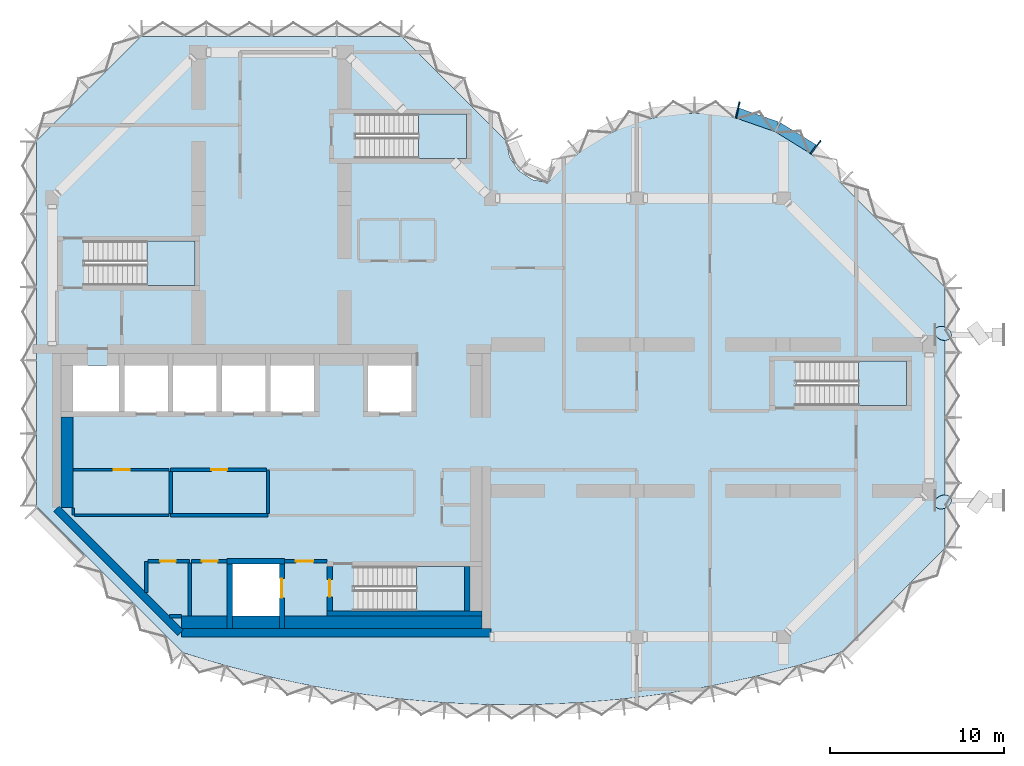
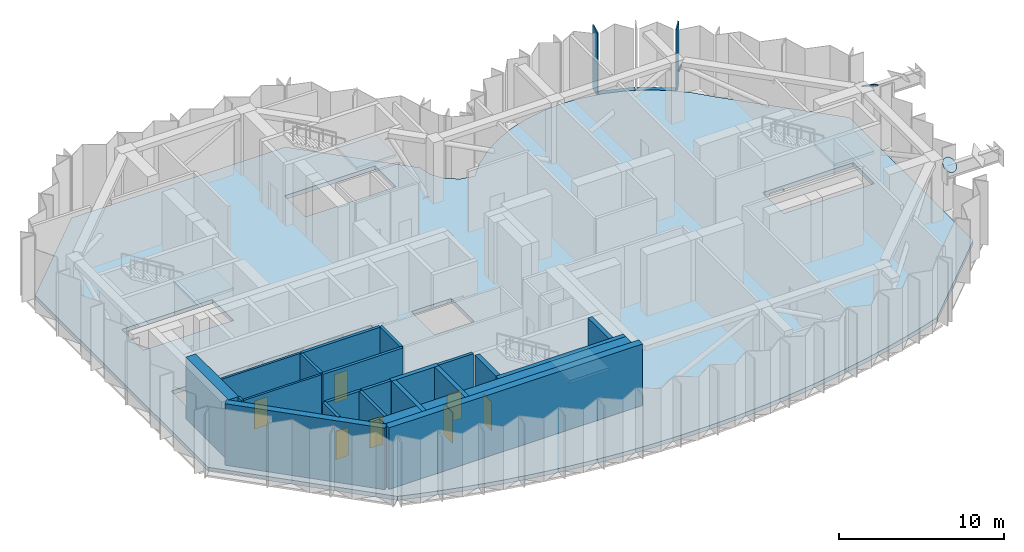
# One storey, part 3 of 13: 25 walls, 7 doors, 5 slabs, 4 members, 2 plates, 7 openings, 5 elements without a shape of their own.
"""IFC4 building model written with IfcOpenShell, lengths in metres."""

from ifc_helpers import new_model, si_unit, direction, frame, frame_2d, origin, origin_2d, place, context, subcontext, project, spatial, polyline, rectangle, circle, outline, extrude, material, layer, layer_set, material_profile, profile_set, type_object, element, fill, aggregate, save


model = new_model("IFC4")

# Units and contexts
model_context = context("Model", 3, precision=1e-05, world=origin(), true_north=direction((0.0, 1.0)))
body_context = subcontext(model_context, "Body", "Model", "MODEL_VIEW")
ifc_project = project(units=[si_unit("LENGTHUNIT", "METRE"), si_unit("AREAUNIT", "SQUARE_METRE"), si_unit("VOLUMEUNIT", "CUBIC_METRE"), si_unit("PLANEANGLEUNIT", "RADIAN"), si_unit("MASSUNIT", "GRAM", prefix="KILO")], contexts=[model_context])

# Site, building, storey
site_placement = place(None, origin())
site = spatial("IfcSite", under=ifc_project, at=site_placement, CompositionType="ELEMENT")
building_placement = place(site_placement, origin())
building = spatial("IfcBuilding", under=site, at=building_placement, Name="Brevane Broadcast Tower", CompositionType="ELEMENT")
storey_placement = place(building_placement, frame((0.0, 0.0, 210.89990234375)))
storey = spatial("IfcBuildingStorey", under=building, at=storey_placement, Name="L53", CompositionType="ELEMENT", Elevation=210.89990234375)

# Curtain wall, members
ifc_material_1 = material(Name="Aluminium 6063-T6 bronze anodised", Category="aluminium")
curtain_wall_type = type_object("IfcCurtainWallType", Name="CW-3 curtain wall", PredefinedType="NOTDEFINED", material=ifc_material_1)
curtain_wall_placement = place(storey_placement, origin())
curtain_wall = element("IfcCurtainWall", 1, at=curtain_wall_placement, inside=storey, type_object=curtain_wall_type, Name="CW-3 refuge louvre unit L53 east bow", PredefinedType="NOTDEFINED")
ifc_material_profile_1 = material_profile(ifc_material_1, rectangle(XDim=0.949951171875, YDim=0.080078125, at=origin_2d()), Name="RECT 80x950")
ifc_profile_set_1 = profile_set([ifc_material_profile_1], Name="Aluminium 6063-T6 bronze anodised")
member_type_1 = type_object("IfcMemberType", Name="CW-3 mullion 80x950", PredefinedType="MULLION", material=ifc_profile_set_1)
member_1_placement = place(storey_placement, frame((43.8720703125, 28.1455078125, -0.159912109375), z_axis=(0.0, 0.0, 1.0), x_axis=(-0.614769698862, -0.788706673841, 0.0)))
member_1 = element("IfcMember", 2, at=member_1_placement, type_object=member_type_1, Name="CW-3 mullion", PredefinedType="MULLION", context=body_context, shape_type="SweptSolid", body=[
    extrude(rectangle(XDim=0.949951171875, YDim=0.080078125, at=origin_2d()), origin(), (0.0, 0.0, 1.0), 4.7099609375),
])
member_2_placement = place(storey_placement, frame((39.38818359375, 30.28076171875, -0.159912109375), z_axis=(0.0, 0.0, 1.0), x_axis=(-0.224806535479, -0.974403418306, 0.0)))
member_2 = element("IfcMember", 3, at=member_2_placement, type_object=member_type_1, Name="CW-3 mullion", PredefinedType="MULLION", context=body_context, shape_type="SweptSolid", body=[
    extrude(rectangle(XDim=0.949951171875, YDim=0.080078125, at=origin_2d()), origin(), (0.0, 0.0, 1.0), 4.7099609375),
])
ifc_material_profile_2 = material_profile(ifc_material_1, rectangle(XDim=0.60009765625, YDim=0.139892578125, at=origin_2d()), Name="RECT 140x600")
ifc_profile_set_2 = profile_set([ifc_material_profile_2], Name="Aluminium 6063-T6 bronze anodised")
member_type_2 = type_object("IfcMemberType", Name="CW-3 transom 140x600", PredefinedType="USERDEFINED", material=ifc_profile_set_2)
member_3_placement = place(storey_placement, frame((43.7421875, 28.023193359375, -0.22998046875), z_axis=(-0.850810063131, 0.525473345162, 0.0), x_axis=(-0.525473345162, -0.850810063131, 0.0)))
member_3 = element("IfcMember", 4, at=member_3_placement, type_object=member_type_2, Name="CW-3 transom", ObjectType="TRANSOM", PredefinedType="USERDEFINED", context=body_context, shape_type="SweptSolid", body=[
    extrude(rectangle(XDim=0.60009765625, YDim=0.139892578125, at=origin_2d()), origin(), (0.0, 0.0, 1.0), 2.39453125),
])
member_4_placement = place(storey_placement, frame((41.63623046875, 29.314208984375, -0.22998046875), z_axis=(-0.944197969542, 0.329378497041, 0.0), x_axis=(-0.329378497041, -0.944197969542, 0.0)))
member_4 = element("IfcMember", 5, at=member_4_placement, type_object=member_type_2, Name="CW-3 transom", ObjectType="TRANSOM", PredefinedType="USERDEFINED", context=body_context, shape_type="SweptSolid", body=[
    extrude(rectangle(XDim=0.60009765625, YDim=0.139892578125, at=origin_2d()), origin(), (0.0, 0.0, 1.0), 2.394775390625),
])
aggregate(curtain_wall, [member_1, member_2, member_3, member_4])

# Stair, slab
ifc_material_2 = material(Name="Concrete C50/60", Category="concrete")
stair_type = type_object("IfcStairType", Name="Exit stair 28 risers", PredefinedType="HALF_TURN_STAIR", material=ifc_material_2)
stair_1_placement = place(storey_placement, origin())
stair_1 = element("IfcStair", 6, at=stair_1_placement, inside=storey, type_object=stair_type, Name="L53 Exit stair ST-1", PredefinedType="HALF_TURN_STAIR")
ifc_layer_1 = layer(ifc_material_2, 0.199951171875)
ifc_layer_set_1 = layer_set([ifc_layer_1], Name="Exit stair landing")
slab_type_1 = type_object("IfcSlabType", Name="Exit stair landing", PredefinedType="LANDING", material=ifc_layer_set_1)
slab_1_placement = place(storey_placement, frame((0.0, 0.0, 2.2001953125)))
slab_1 = element("IfcSlab", 7, at=slab_1_placement, type_object=slab_type_1, Name="ST-1 landing 1", PredefinedType="LANDING", context=body_context, shape_type="SweptSolid", body=[
    extrude(outline(polyline([(5.43994140625, 20.199951171875), (8.199951171875, 20.199951171875), (8.199951171875, 22.75), (5.43994140625, 22.75), (5.43994140625, 20.199951171875)])), origin(), (0.0, 0.0, 1.0), 0.199951171875),
])
aggregate(stair_1, [slab_1])

stair_2_placement = place(storey_placement, origin())
stair_2 = element("IfcStair", 8, at=stair_2_placement, inside=storey, type_object=stair_type, Name="L53 Exit stair ST-2", PredefinedType="HALF_TURN_STAIR")
slab_2_placement = place(storey_placement, frame((0.0, 0.0, 2.2001953125)))
slab_2 = element("IfcSlab", 9, at=slab_2_placement, type_object=slab_type_1, Name="ST-2 landing 1", PredefinedType="LANDING", context=body_context, shape_type="SweptSolid", body=[
    extrude(outline(polyline([(20.93994140625, 1.5), (23.699951171875, 1.5), (23.699951171875, 4.050048828125), (20.93994140625, 4.050048828125), (20.93994140625, 1.5)])), origin(), (0.0, 0.0, 1.0), 0.199951171875),
])
aggregate(stair_2, [slab_2])

stair_3_placement = place(storey_placement, origin())
stair_3 = element("IfcStair", 10, at=stair_3_placement, inside=storey, type_object=stair_type, Name="L53 Exit stair ST-3", PredefinedType="HALF_TURN_STAIR")
slab_3_placement = place(storey_placement, frame((0.0, 0.0, 2.2001953125)))
slab_3 = element("IfcSlab", 11, at=slab_3_placement, type_object=slab_type_1, Name="ST-3 landing 1", PredefinedType="LANDING", context=body_context, shape_type="SweptSolid", body=[
    extrude(outline(polyline([(21.0400390625, 27.5), (23.800048828125, 27.5), (23.800048828125, 30.050048828125), (21.0400390625, 30.050048828125), (21.0400390625, 27.5)])), origin(), (0.0, 0.0, 1.0), 0.199951171875),
])
aggregate(stair_3, [slab_3])

stair_4_placement = place(storey_placement, origin())
stair_4 = element("IfcStair", 12, at=stair_4_placement, inside=storey, type_object=stair_type, Name="L53 Exit stair ST-4", PredefinedType="HALF_TURN_STAIR")
slab_4_placement = place(storey_placement, frame((0.0, 0.0, 2.2001953125)))
slab_4 = element("IfcSlab", 13, at=slab_4_placement, type_object=slab_type_1, Name="ST-4 landing 1", PredefinedType="LANDING", context=body_context, shape_type="SweptSolid", body=[
    extrude(outline(polyline([(46.340087890625, 13.300048828125), (49.10009765625, 13.300048828125), (49.10009765625, 15.85009765625), (46.340087890625, 15.85009765625), (46.340087890625, 13.300048828125)])), origin(), (0.0, 0.0, 1.0), 0.199951171875),
])
aggregate(stair_4, [slab_4])

# Slab
ifc_material_3 = material(Name="Concrete C40/50", Category="concrete")
ifc_layer_2 = layer(ifc_material_3, 0.300048828125)
ifc_layer_set_2 = layer_set([ifc_layer_2], Name="RC FLOOR SLAB 300 C40/50")
slab_type_2 = type_object("IfcSlabType", Name="RC FLOOR SLAB 300 C40/50", PredefinedType="FLOOR", material=ifc_layer_set_2)
slab_5_placement = place(storey_placement, frame((0.0, 0.0, -0.2998046875)))
element("IfcSlab", 14, at=slab_5_placement, inside=storey, type_object=slab_type_2, Name="SL300 L53", PredefinedType="FLOOR", context=body_context, shape_type="SweptSolid", body=[
    extrude(outline(polyline([(-0.89990234375, 7.5), (-0.89990234375, 28.5), (5.10009765625, 34.5), (20.10009765625, 34.5), (26.10009765625, 28.5), (26.28271484375, 27.58154296875), (26.802978515625, 26.802978515625), (27.58154296875, 26.28271484375), (28.5, 26.10009765625), (29.431396484375, 27.10888671875), (30.48291015625, 27.99169921875), (31.6376953125, 28.734130859375), (32.877197265625, 29.324462890625), (34.181640625, 29.7529296875), (35.52978515625, 30.012939453125), (36.89990234375, 30.10009765625), (38.270263671875, 30.012939453125), (39.618408203125, 29.7529296875), (40.922607421875, 29.324462890625), (42.162353515625, 28.734130859375), (43.317138671875, 27.99169921875), (44.36865234375, 27.10888671875), (45.300048828125, 26.10009765625), (51.300048828125, 20.10009765625), (51.300048828125, 5.10009765625), (45.300048828125, -0.89990234375), (43.990234375, -1.310302734375), (42.671630859375, -1.691162109375), (41.3447265625, -2.0419921875), (40.01025390625, -2.36328125), (38.6689453125, -2.654052734375), (37.3212890625, -2.9150390625), (35.96826171875, -3.145263671875), (34.6103515625, -3.34521484375), (33.248291015625, -3.5146484375), (31.8828125, -3.6533203125), (30.5146484375, -3.76123046875), (29.144287109375, -3.83837890625), (27.7724609375, -3.884521484375), (26.39990234375, -3.89990234375), (25.027587890625, -3.884521484375), (23.65576171875, -3.83837890625), (22.285400390625, -3.76123046875), (20.917236328125, -3.6533203125), (19.5517578125, -3.5146484375), (18.189697265625, -3.34521484375), (16.831787109375, -3.145263671875), (15.478759765625, -2.9150390625), (14.131103515625, -2.654052734375), (12.789794921875, -2.36328125), (11.455322265625, -2.0419921875), (10.12841796875, -1.691162109375), (8.809814453125, -1.310302734375), (7.5, -0.89990234375), (-0.89990234375, 7.5)]), holes=[polyline([(13.199951171875, 4.39990234375), (10.199951171875, 4.39990234375), (10.199951171875, 1.199951171875), (13.199951171875, 1.199951171875), (13.199951171875, 4.39990234375)]), polyline([(4.0, 15.60009765625), (1.199951171875, 15.60009765625), (1.199951171875, 12.800048828125), (4.0, 12.800048828125), (6.800048828125, 12.800048828125), (9.60009765625, 12.800048828125), (12.39990234375, 12.800048828125), (15.199951171875, 12.800048828125), (15.199951171875, 15.60009765625), (12.39990234375, 15.60009765625), (9.60009765625, 15.60009765625), (6.800048828125, 15.60009765625), (4.0, 15.60009765625)]), polyline([(1.860107421875, 22.75), (1.860107421875, 20.199951171875), (8.199951171875, 20.199951171875), (8.199951171875, 22.75), (1.860107421875, 22.75)]), polyline([(23.699951171875, 4.050048828125), (17.360107421875, 4.050048828125), (17.360107421875, 1.5), (23.699951171875, 1.5), (23.699951171875, 4.050048828125)]), polyline([(20.800048828125, 15.60009765625), (18.0, 15.60009765625), (18.0, 12.800048828125), (20.800048828125, 12.800048828125), (20.800048828125, 15.60009765625)]), polyline([(49.10009765625, 15.85009765625), (42.760009765625, 15.85009765625), (42.760009765625, 13.300048828125), (49.10009765625, 13.300048828125), (49.10009765625, 15.85009765625)]), polyline([(23.800048828125, 30.050048828125), (17.4599609375, 30.050048828125), (17.4599609375, 27.5), (23.800048828125, 27.5), (23.800048828125, 30.050048828125)])]), origin(), (0.0, 0.0, 1.0), 0.2998046875),
])

# Plates
ifc_material_4 = material(Name="Steel S355", Category="steel")
ifc_material_profile_3 = material_profile(ifc_material_4, circle(Radius=0.508056640625, at=origin_2d()), Name="PL 1016 DIA x 15")
ifc_profile_set_3 = profile_set([ifc_material_profile_3], Name="Steel S355")
plate_type = type_object("IfcPlateType", Name="STEEL END CAP PLATE 1016 DIA x 15", PredefinedType="SHEET", material=ifc_profile_set_3)
for number, where, z_axis, x_axis, name in (
    (15, (51.17919921875, 7.766357421875, 3.998779296875), (0.274015396495, -0.61250500393, 0.74145342581), (0.912818251895, 0.408366060058, 0.0), "End cap plate EC3-52"),
    (16, (51.17919921875, 17.43359375, 3.998779296875), (0.274015396495, 0.61250500393, 0.74145342581), (-0.912818251895, 0.408366060058, 0.0), "End cap plate EC3-55"),
):
    element("IfcPlate", number, at=place(storey_placement, frame(where, z_axis=z_axis, x_axis=x_axis)), inside=storey, type_object=plate_type, Name=name, PredefinedType="SHEET", context=body_context, shape_type="SweptSolid", body=[
        extrude(circle(Radius=0.508056640625, at=origin_2d()), origin(), (0.0, 0.0, 1.0), 0.01513671875),
    ])

# Walls
ifc_material_5 = material(Name="Concrete C32/40", Category="concrete")
ifc_layer_3 = layer(ifc_material_5, 0.699951171875)
ifc_layer_set_3 = layer_set([ifc_layer_3], Name="Core chase wall 700 mm")
wall_type_1 = type_object("IfcWallType", Name="Core chase wall 700 mm", PredefinedType="PARTITIONING", material=ifc_layer_set_3)
wall_1_placement = place(storey_placement, frame((0.85009765625, 7.436279296875, 0.0), z_axis=(0.0, 0.0, 1.0), x_axis=(0.0, 1.0, 0.0)))
element("IfcWall", 17, at=wall_1_placement, inside=storey, type_object=wall_type_1, Name="L53 chase wall LW-1", PredefinedType="PARTITIONING", context=body_context, shape_type="SweptSolid", body=[
    extrude(rectangle(XDim=5.213623046875, YDim=0.699951171875, at=frame_2d((2.60693359375, 0.0))), origin(), (0.0, 0.0, 1.0), 4.550048828125),
])
wall_2_placement = place(storey_placement, frame((7.436279296875, 0.85009765625, 0.0), z_axis=(0.0, 0.0, 1.0), x_axis=(1.0, 0.0, 0.0)))
element("IfcWall", 18, at=wall_2_placement, inside=storey, type_object=wall_type_1, Name="L53 chase wall LS-1", PredefinedType="PARTITIONING", context=body_context, shape_type="SweptSolid", body=[
    extrude(rectangle(XDim=2.61376953125, YDim=0.699951171875, at=frame_2d((1.306884765625, 0.0))), origin(), (0.0, 0.0, 1.0), 4.550048828125),
])
wall_3_placement = place(storey_placement, frame((10.35009765625, 0.85009765625, 0.0), z_axis=(0.0, 0.0, 1.0), x_axis=(1.0, 0.0, 0.0)))
element("IfcWall", 19, at=wall_3_placement, inside=storey, type_object=wall_type_1, Name="L53 chase wall LS-2-1", PredefinedType="PARTITIONING", context=body_context, shape_type="SweptSolid", body=[
    extrude(rectangle(XDim=2.699951171875, YDim=0.699951171875, at=frame_2d((1.35009765625, 0.0))), origin(), (0.0, 0.0, 1.0), 4.550048828125),
])
wall_4_placement = place(storey_placement, frame((13.35009765625, 0.85009765625, 0.0), z_axis=(0.0, 0.0, 1.0), x_axis=(1.0, 0.0, 0.0)))
element("IfcWall", 20, at=wall_4_placement, inside=storey, type_object=wall_type_1, Name="L53 chase wall LS-2-2", PredefinedType="PARTITIONING", context=body_context, shape_type="SweptSolid", body=[
    extrude(rectangle(XDim=11.349853515625, YDim=0.699951171875, at=frame_2d((5.6748046875, 0.0))), origin(), (0.0, 0.0, 1.0), 4.550048828125),
])

# Wall, opening, door
ifc_material_6 = material(Name="Gypsum board on steel studs", Category="steel")
ifc_layer_4 = layer(ifc_material_6, 0.14990234375)
ifc_layer_set_4 = layer_set([ifc_layer_4], Name="Core fire partition 150 mm")
wall_type_2 = type_object("IfcWallType", Name="Core fire partition 150 mm", PredefinedType="PARTITIONING", material=ifc_layer_set_4)
wall_5_placement = place(storey_placement, frame((6.699951171875, 9.60009765625, 0.0), z_axis=(0.0, 0.0, 1.0), x_axis=(-1.0, 0.0, 0.0)))
wall_5 = element("IfcWall", 21, at=wall_5_placement, inside=storey, type_object=wall_type_2, Name="L53 partition wall P16", PredefinedType="PARTITIONING", context=body_context, shape_type="SweptSolid", body=[
    extrude(rectangle(XDim=5.488037109375, YDim=0.14990234375, at=frame_2d((2.744140625, 0.0))), origin(), (0.0, 0.0, 1.0), 4.550048828125),
])
opening_1_placement = place(wall_5_placement, frame((2.25, 0.0, 0.0)))
opening_1 = element("IfcOpeningElement", 22, at=opening_1_placement, cuts=wall_5, Name="Opening L53-K19", PredefinedType="OPENING", context=body_context, shape_type="SweptSolid", body=[
    extrude(rectangle(XDim=0.89990234375, YDim=2.10009765625, at=frame_2d((0.449951171875, 1.050048828125))), frame((0.0, 0.0849609375, 0.0), z_axis=(0.0, -1.0, 0.0), x_axis=(1.0, 0.0, 0.0)), (0.0, 0.0, 1.0), 0.169921875),
])
ifc_material_7 = material(Name="Steel", Category="steel")
door_type_1 = type_object("IfcDoorType", Name="Service room door 900 x 2100", OperationType="SINGLE_SWING_LEFT", PredefinedType="DOOR", material=ifc_material_7)
door_1_placement = place(opening_1_placement, origin())
door_1 = element("IfcDoor", 23, at=door_1_placement, inside=storey, type_object=door_type_1, Name="Door L53-K19", OperationType="SINGLE_SWING_LEFT", OverallHeight=2.10009765625, OverallWidth=0.89990234375, PredefinedType="DOOR", context=body_context, shape_type="SweptSolid", body=[
    extrude(rectangle(XDim=0.89990234375, YDim=2.10009765625, at=frame_2d((0.449951171875, 1.050048828125))), frame((0.0, 0.02490234375, 0.0), z_axis=(0.0, -1.0, 0.0), x_axis=(1.0, 0.0, 0.0)), (0.0, 0.0, 1.0), 0.050048828125),
])
fill(opening_1, door_1)

# Walls
wall_6_placement = place(storey_placement, frame((1.199951171875, 7.42431640625, 0.0), z_axis=(0.0, 0.0, 1.0), x_axis=(0.0, -1.0, 0.0)))
element("IfcWall", 24, at=wall_6_placement, inside=storey, type_object=wall_type_2, Name="L53 partition wall P17", PredefinedType="PARTITIONING", context=body_context, shape_type="SweptSolid", body=[
    extrude(rectangle(XDim=0.42431640625, YDim=0.14990234375, at=frame_2d((0.212158203125, 0.0))), origin(), (0.0, 0.0, 1.0), 4.550048828125),
])
wall_7_placement = place(storey_placement, frame((1.27490234375, 7.0, 0.0), z_axis=(0.0, 0.0, 1.0), x_axis=(1.0, 0.0, 0.0)))
element("IfcWall", 25, at=wall_7_placement, inside=storey, type_object=wall_type_2, Name="L53 partition wall P18", PredefinedType="PARTITIONING", context=body_context, shape_type="SweptSolid", body=[
    extrude(rectangle(XDim=5.425048828125, YDim=0.14990234375, at=frame_2d((2.71240234375, 0.0))), origin(), (0.0, 0.0, 1.0), 4.550048828125),
])

# Wall, opening, door
ifc_layer_5 = layer(ifc_material_6, 0.199951171875)
ifc_layer_set_5 = layer_set([ifc_layer_5], Name="Core fire partition 200 mm")
wall_type_3 = type_object("IfcWallType", Name="Core fire partition 200 mm", PredefinedType="PARTITIONING", material=ifc_layer_set_5)
wall_8_placement = place(storey_placement, frame((13.362060546875, 4.35009765625, 0.0), z_axis=(0.0, 0.0, 1.0), x_axis=(1.0, 0.0, 0.0)))
wall_8 = element("IfcWall", 26, at=wall_8_placement, inside=storey, type_object=wall_type_3, Name="L53 partition wall P03", PredefinedType="PARTITIONING", context=body_context, shape_type="SweptSolid", body=[
    extrude(rectangle(XDim=2.426025390625, YDim=0.199951171875, at=frame_2d((1.212890625, 0.0))), origin(), (0.0, 0.0, 1.0), 4.550048828125),
])
opening_2_placement = place(wall_8_placement, frame((0.637939453125, 0.0, 0.0)))
opening_2 = element("IfcOpeningElement", 27, at=opening_2_placement, cuts=wall_8, Name="Opening L53-K16", PredefinedType="OPENING", context=body_context, shape_type="SweptSolid", body=[
    extrude(rectangle(XDim=1.0, YDim=2.10009765625, at=frame_2d((0.5, 1.050048828125))), frame((0.0, 0.10986328125, 0.0), z_axis=(0.0, -1.0, 0.0), x_axis=(1.0, 0.0, 0.0)), (0.0, 0.0, 1.0), 0.219970703125),
])
door_type_2 = type_object("IfcDoorType", Name="Stair door 1000 x 2100", OperationType="SINGLE_SWING_LEFT", PredefinedType="DOOR", material=ifc_material_7)
door_2_placement = place(opening_2_placement, origin())
door_2 = element("IfcDoor", 28, at=door_2_placement, inside=storey, type_object=door_type_2, Name="Door L53-K16", OperationType="SINGLE_SWING_RIGHT", OverallHeight=2.10009765625, OverallWidth=1.0, PredefinedType="DOOR", context=body_context, shape_type="SweptSolid", body=[
    extrude(rectangle(XDim=1.0, YDim=2.10009765625, at=frame_2d((0.5, 1.050048828125))), frame((0.0, 0.02490234375, 0.0), z_axis=(0.0, -1.0, 0.0), x_axis=(1.0, 0.0, 0.0)), (0.0, 0.0, 1.0), 0.050048828125),
])
fill(opening_2, door_2)

# Wall
wall_9_placement = place(storey_placement, frame((5.39990234375, 2.553466796875, 0.0), z_axis=(0.0, 0.0, 1.0), x_axis=(0.0, 1.0, 0.0)))
element("IfcWall", 29, at=wall_9_placement, inside=storey, type_object=wall_type_3, Name="L53 partition wall P04", PredefinedType="PARTITIONING", context=body_context, shape_type="SweptSolid", body=[
    extrude(rectangle(XDim=1.796630859375, YDim=0.199951171875, at=frame_2d((0.8984375, 0.0))), origin(), (0.0, 0.0, 1.0), 4.550048828125),
])

# Wall, opening, door
wall_10_placement = place(storey_placement, frame((5.5, 4.35009765625, 0.0), z_axis=(0.0, 0.0, 1.0), x_axis=(1.0, 0.0, 0.0)))
wall_10 = element("IfcWall", 30, at=wall_10_placement, inside=storey, type_object=wall_type_3, Name="L53 partition wall P05", PredefinedType="PARTITIONING", context=body_context, shape_type="SweptSolid", body=[
    extrude(rectangle(XDim=2.39990234375, YDim=0.199951171875, at=frame_2d((1.199951171875, 0.0))), origin(), (0.0, 0.0, 1.0), 4.550048828125),
])
opening_3_placement = place(wall_10_placement, frame((0.699951171875, 0.0, 0.0)))
opening_3 = element("IfcOpeningElement", 31, at=opening_3_placement, cuts=wall_10, Name="Opening L53-K14", PredefinedType="OPENING", context=body_context, shape_type="SweptSolid", body=[
    extrude(rectangle(XDim=0.89990234375, YDim=2.10009765625, at=frame_2d((0.449951171875, 1.050048828125))), frame((0.0, 0.10986328125, 0.0), z_axis=(0.0, -1.0, 0.0), x_axis=(1.0, 0.0, 0.0)), (0.0, 0.0, 1.0), 0.219970703125),
])
door_3_placement = place(opening_3_placement, origin())
door_3 = element("IfcDoor", 32, at=door_3_placement, inside=storey, type_object=door_type_1, Name="Door L53-K14", OperationType="SINGLE_SWING_RIGHT", OverallHeight=2.10009765625, OverallWidth=0.89990234375, PredefinedType="DOOR", context=body_context, shape_type="SweptSolid", body=[
    extrude(rectangle(XDim=0.89990234375, YDim=2.10009765625, at=frame_2d((0.449951171875, 1.050048828125))), frame((0.0, 0.02490234375, 0.0), z_axis=(0.0, -1.0, 0.0), x_axis=(1.0, 0.0, 0.0)), (0.0, 0.0, 1.0), 0.050048828125),
])
fill(opening_3, door_3)

# Walls
wall_11_placement = place(storey_placement, frame((7.89990234375, 4.25, 0.0), z_axis=(0.0, 0.0, 1.0), x_axis=(0.0, -1.0, 0.0)))
element("IfcWall", 33, at=wall_11_placement, inside=storey, type_object=wall_type_3, Name="L53 partition wall P06", PredefinedType="PARTITIONING", context=body_context, shape_type="SweptSolid", body=[
    extrude(rectangle(XDim=3.0380859375, YDim=0.199951171875, at=frame_2d((1.51904296875, 0.0))), origin(), (0.0, 0.0, 1.0), 4.550048828125),
])
wall_12_placement = place(storey_placement, frame((7.42431640625, 1.199951171875, 0.0), z_axis=(0.0, 0.0, 1.0), x_axis=(-1.0, 0.0, 0.0)))
element("IfcWall", 34, at=wall_12_placement, inside=storey, type_object=wall_type_3, Name="L53 partition wall P07", PredefinedType="PARTITIONING", context=body_context, shape_type="SweptSolid", body=[
    extrude(rectangle(XDim=0.6708984375, YDim=0.199951171875, at=frame_2d((0.33544921875, 0.0))), origin(), (0.0, 0.0, 1.0), 4.550048828125),
])

# Wall, opening, door
wall_13_placement = place(storey_placement, frame((10.0380859375, 4.35009765625, 0.0), z_axis=(0.0, 0.0, 1.0), x_axis=(-1.0, 0.0, 0.0)))
wall_13 = element("IfcWall", 35, at=wall_13_placement, inside=storey, type_object=wall_type_3, Name="L53 partition wall P08", PredefinedType="PARTITIONING", context=body_context, shape_type="SweptSolid", body=[
    extrude(rectangle(XDim=2.0380859375, YDim=0.199951171875, at=frame_2d((1.01904296875, 0.0))), origin(), (0.0, 0.0, 1.0), 4.550048828125),
])
opening_4_placement = place(wall_13_placement, frame((0.5380859375, 0.0, 0.0)))
opening_4 = element("IfcOpeningElement", 36, at=opening_4_placement, cuts=wall_13, Name="Opening L53-K15", PredefinedType="OPENING", context=body_context, shape_type="SweptSolid", body=[
    extrude(rectangle(XDim=0.89990234375, YDim=2.10009765625, at=frame_2d((0.449951171875, 1.050048828125))), frame((0.0, 0.10986328125, 0.0), z_axis=(0.0, -1.0, 0.0), x_axis=(1.0, 0.0, 0.0)), (0.0, 0.0, 1.0), 0.219970703125),
])
door_4_placement = place(opening_4_placement, origin())
door_4 = element("IfcDoor", 37, at=door_4_placement, inside=storey, type_object=door_type_1, Name="Door L53-K15", OperationType="SINGLE_SWING_LEFT", OverallHeight=2.10009765625, OverallWidth=0.89990234375, PredefinedType="DOOR", context=body_context, shape_type="SweptSolid", body=[
    extrude(rectangle(XDim=0.89990234375, YDim=2.10009765625, at=frame_2d((0.449951171875, 1.050048828125))), frame((0.0, 0.02490234375, 0.0), z_axis=(0.0, -1.0, 0.0), x_axis=(1.0, 0.0, 0.0)), (0.0, 0.0, 1.0), 0.050048828125),
])
fill(opening_4, door_4)

# Walls
wall_14_placement = place(storey_placement, frame((6.800048828125, 7.0, 0.0), z_axis=(0.0, 0.0, 1.0), x_axis=(1.0, 0.0, 0.0)))
element("IfcWall", 38, at=wall_14_placement, inside=storey, type_object=wall_type_3, Name="L53 partition wall P12", PredefinedType="PARTITIONING", context=body_context, shape_type="SweptSolid", body=[
    extrude(rectangle(XDim=5.599853515625, YDim=0.199951171875, at=frame_2d((2.7998046875, 0.0))), origin(), (0.0, 0.0, 1.0), 4.550048828125),
])
wall_15_placement = place(storey_placement, frame((12.39990234375, 7.10009765625, 0.0), z_axis=(0.0, 0.0, 1.0), x_axis=(0.0, 1.0, 0.0)))
element("IfcWall", 39, at=wall_15_placement, inside=storey, type_object=wall_type_3, Name="L53 partition wall P13", PredefinedType="PARTITIONING", context=body_context, shape_type="SweptSolid", body=[
    extrude(rectangle(XDim=2.5, YDim=0.199951171875, at=frame_2d((1.25, 0.0))), origin(), (0.0, 0.0, 1.0), 4.550048828125),
])

# Wall, opening, door
wall_16_placement = place(storey_placement, frame((12.300048828125, 9.60009765625, 0.0), z_axis=(0.0, 0.0, 1.0), x_axis=(-1.0, 0.0, 0.0)))
wall_16 = element("IfcWall", 40, at=wall_16_placement, inside=storey, type_object=wall_type_3, Name="L53 partition wall P14", PredefinedType="PARTITIONING", context=body_context, shape_type="SweptSolid", body=[
    extrude(rectangle(XDim=5.5, YDim=0.199951171875, at=frame_2d((2.75, 0.0))), origin(), (0.0, 0.0, 1.0), 4.550048828125),
])
opening_5_placement = place(wall_16_placement, frame((2.25, 0.0, 0.0)))
opening_5 = element("IfcOpeningElement", 41, at=opening_5_placement, cuts=wall_16, Name="Opening L53-K20", PredefinedType="OPENING", context=body_context, shape_type="SweptSolid", body=[
    extrude(rectangle(XDim=0.89990234375, YDim=2.10009765625, at=frame_2d((0.449951171875, 1.050048828125))), frame((0.0, 0.10986328125, 0.0), z_axis=(0.0, -1.0, 0.0), x_axis=(1.0, 0.0, 0.0)), (0.0, 0.0, 1.0), 0.219970703125),
])
door_5_placement = place(opening_5_placement, origin())
door_5 = element("IfcDoor", 42, at=door_5_placement, inside=storey, type_object=door_type_1, Name="Door L53-K20", OperationType="SINGLE_SWING_RIGHT", OverallHeight=2.10009765625, OverallWidth=0.89990234375, PredefinedType="DOOR", context=body_context, shape_type="SweptSolid", body=[
    extrude(rectangle(XDim=0.89990234375, YDim=2.10009765625, at=frame_2d((0.449951171875, 1.050048828125))), frame((0.0, 0.02490234375, 0.0), z_axis=(0.0, -1.0, 0.0), x_axis=(1.0, 0.0, 0.0)), (0.0, 0.0, 1.0), 0.050048828125),
])
fill(opening_5, door_5)

# Walls
wall_17_placement = place(storey_placement, frame((6.800048828125, 9.5, 0.0), z_axis=(0.0, 0.0, 1.0), x_axis=(0.0, -1.0, 0.0)))
element("IfcWall", 43, at=wall_17_placement, inside=storey, type_object=wall_type_3, Name="L53 partition wall P15", PredefinedType="PARTITIONING", context=body_context, shape_type="SweptSolid", body=[
    extrude(rectangle(XDim=2.39990234375, YDim=0.199951171875, at=frame_2d((1.199951171875, 0.0))), origin(), (0.0, 0.0, 1.0), 4.550048828125),
])
ifc_layer_6 = layer(ifc_material_2, 0.300048828125)
ifc_layer_set_6 = layer_set([ifc_layer_6], Name="Core wall 300 mm C50/60")
wall_type_4 = type_object("IfcWallType", Name="Core wall 300 mm C50/60", PredefinedType="SHEAR", material=ifc_layer_set_6)
wall_18_placement = place(storey_placement, frame((10.199951171875, 0.5, 0.0), z_axis=(0.0, 0.0, 1.0), x_axis=(0.0, 1.0, 0.0)))
element("IfcWall", 44, at=wall_18_placement, inside=storey, type_object=wall_type_4, Name="L53 shaft wall FF2-W", PredefinedType="SHEAR", context=body_context, shape_type="SweptSolid", body=[
    extrude(rectangle(XDim=3.699951171875, YDim=0.300048828125, at=frame_2d((1.85009765625, 0.0))), origin(), (0.0, 0.0, 1.0), 4.550048828125),
])

# Wall, opening, door
wall_19_placement = place(storey_placement, frame((13.199951171875, 0.5, 0.0), z_axis=(0.0, 0.0, 1.0), x_axis=(0.0, 1.0, 0.0)))
wall_19 = element("IfcWall", 45, at=wall_19_placement, inside=storey, type_object=wall_type_4, Name="L53 shaft wall FF2-E", PredefinedType="SHEAR", context=body_context, shape_type="SweptSolid", body=[
    extrude(rectangle(XDim=3.699951171875, YDim=0.300048828125, at=frame_2d((1.85009765625, 0.0))), origin(), (0.0, 0.0, 1.0), 4.550048828125),
])
opening_6_placement = place(wall_19_placement, frame((1.75, 0.0, 0.0)))
opening_6 = element("IfcOpeningElement", 46, at=opening_6_placement, cuts=wall_19, Name="Opening LD", PredefinedType="OPENING", context=body_context, shape_type="SweptSolid", body=[
    extrude(rectangle(XDim=1.10009765625, YDim=2.300048828125, at=frame_2d((0.550048828125, 1.14990234375))), frame((0.0, 0.159912109375, 0.0), z_axis=(0.0, -1.0, 0.0), x_axis=(1.0, 0.0, 0.0)), (0.0, 0.0, 1.0), 0.320068359375),
])
ifc_material_8 = material(Name="Stainless steel", Category="steel")
door_type_3 = type_object("IfcDoorType", Name="Lift landing door", OperationType="SLIDING_TO_LEFT", PredefinedType="DOOR", material=ifc_material_8)
door_6_placement = place(opening_6_placement, origin())
door_6 = element("IfcDoor", 47, at=door_6_placement, inside=storey, type_object=door_type_3, Name="Landing door FF2 L53", OperationType="SLIDING_TO_LEFT", OverallHeight=2.300048828125, OverallWidth=1.10009765625, PredefinedType="DOOR", context=body_context, shape_type="SweptSolid", body=[
    extrude(rectangle(XDim=1.10009765625, YDim=2.300048828125, at=frame_2d((0.550048828125, 1.14990234375))), frame((0.0, 0.02490234375, 0.0), z_axis=(0.0, -1.0, 0.0), x_axis=(1.0, 0.0, 0.0)), (0.0, 0.0, 1.0), 0.050048828125),
])
fill(opening_6, door_6)

# Walls
wall_20_placement = place(storey_placement, frame((10.050048828125, 4.35009765625, 0.0), z_axis=(0.0, 0.0, 1.0), x_axis=(1.0, 0.0, 0.0)))
element("IfcWall", 48, at=wall_20_placement, inside=storey, type_object=wall_type_4, Name="L53 shaft wall FF2-N", PredefinedType="SHEAR", context=body_context, shape_type="SweptSolid", body=[
    extrude(rectangle(XDim=3.300048828125, YDim=0.300048828125, at=frame_2d((1.64990234375, 0.0))), origin(), (0.0, 0.0, 1.0), 4.550048828125),
])
wall_21_placement = place(storey_placement, frame((15.800048828125, 1.35009765625, 0.0), z_axis=(0.0, 0.0, 1.0), x_axis=(1.0, 0.0, 0.0)))
element("IfcWall", 49, at=wall_21_placement, inside=storey, type_object=wall_type_4, Name="L53 stair wall ST-2-S", PredefinedType="SHEAR", context=body_context, shape_type="SweptSolid", body=[
    extrude(rectangle(XDim=8.89990234375, YDim=0.300048828125, at=frame_2d((4.449951171875, 0.0))), origin(), (0.0, 0.0, 1.0), 4.550048828125),
])

# Wall, opening, door
wall_22_placement = place(storey_placement, frame((15.949951171875, 1.5, 0.0), z_axis=(0.0, 0.0, 1.0), x_axis=(0.0, 1.0, 0.0)))
wall_22 = element("IfcWall", 50, at=wall_22_placement, inside=storey, type_object=wall_type_4, Name="L53 stair wall ST-2-W", PredefinedType="SHEAR", context=body_context, shape_type="SweptSolid", body=[
    extrude(rectangle(XDim=2.550048828125, YDim=0.300048828125, at=frame_2d((1.27490234375, 0.0))), origin(), (0.0, 0.0, 1.0), 4.550048828125),
])
opening_7_placement = place(wall_22_placement, frame((0.800048828125, 0.0, 0.0)))
opening_7 = element("IfcOpeningElement", 51, at=opening_7_placement, cuts=wall_22, Name="Opening L53-K10", PredefinedType="OPENING", context=body_context, shape_type="SweptSolid", body=[
    extrude(rectangle(XDim=1.0, YDim=2.10009765625, at=frame_2d((0.5, 1.050048828125))), frame((0.0, 0.159912109375, 0.0), z_axis=(0.0, -1.0, 0.0), x_axis=(1.0, 0.0, 0.0)), (0.0, 0.0, 1.0), 0.320068359375),
])
door_7_placement = place(opening_7_placement, origin())
door_7 = element("IfcDoor", 52, at=door_7_placement, inside=storey, type_object=door_type_2, Name="Door L53-K10", OperationType="SINGLE_SWING_RIGHT", OverallHeight=2.10009765625, OverallWidth=1.0, PredefinedType="DOOR", context=body_context, shape_type="SweptSolid", body=[
    extrude(rectangle(XDim=1.0, YDim=2.10009765625, at=frame_2d((0.5, 1.050048828125))), frame((0.0, 0.02490234375, 0.0), z_axis=(0.0, -1.0, 0.0), x_axis=(1.0, 0.0, 0.0)), (0.0, 0.0, 1.0), 0.050048828125),
])
fill(opening_7, door_7)

# Walls
wall_23_placement = place(storey_placement, frame((23.85009765625, 1.5, 0.0), z_axis=(0.0, 0.0, 1.0), x_axis=(0.0, 1.0, 0.0)))
element("IfcWall", 53, at=wall_23_placement, inside=storey, type_object=wall_type_4, Name="L53 stair wall ST-2-E", PredefinedType="SHEAR", context=body_context, shape_type="SweptSolid", body=[
    extrude(rectangle(XDim=2.550048828125, YDim=0.300048828125, at=frame_2d((1.27490234375, 0.0))), origin(), (0.0, 0.0, 1.0), 4.550048828125),
])
ifc_layer_7 = layer(ifc_material_2, 0.449951171875)
ifc_layer_set_7 = layer_set([ifc_layer_7], Name="Core wall 450 mm C50/60")
wall_type_5 = type_object("IfcWallType", Name="Core wall 450 mm C50/60", PredefinedType="SHEAR", material=ifc_layer_set_7)
wall_24_placement = place(storey_placement, frame((0.25, 7.3681640625, 0.0), z_axis=(0.0, 0.0, 1.0), x_axis=(0.707106781187, -0.707106781187, 0.0)))
element("IfcWall", 54, at=wall_24_placement, inside=storey, type_object=wall_type_5, Name="L53 outer wall WC", PredefinedType="SHEAR", context=body_context, shape_type="SweptSolid", body=[
    extrude(rectangle(XDim=10.066650390625, YDim=0.449951171875, at=frame_2d((5.033203125, 0.0))), origin(), (0.0, 0.0, 1.0), 4.550048828125),
])
ifc_layer_8 = layer(ifc_material_2, 0.5)
ifc_layer_set_8 = layer_set([ifc_layer_8], Name="Core wall 500 mm C50/60")
wall_type_6 = type_object("IfcWallType", Name="Core wall 500 mm C50/60", PredefinedType="SHEAR", material=ifc_layer_set_8)
wall_25_placement = place(storey_placement, frame((7.436279296875, 0.25, 0.0), z_axis=(0.0, 0.0, 1.0), x_axis=(1.0, 0.0, 0.0)))
element("IfcWall", 55, at=wall_25_placement, inside=storey, type_object=wall_type_6, Name="L53 outer wall WS", PredefinedType="SHEAR", context=body_context, shape_type="SweptSolid", body=[
    extrude(rectangle(XDim=17.763671875, YDim=0.5, at=frame_2d((8.8818359375, 0.0))), origin(), (0.0, 0.0, 1.0), 4.550048828125),
])

save(model, "model.ifc")
